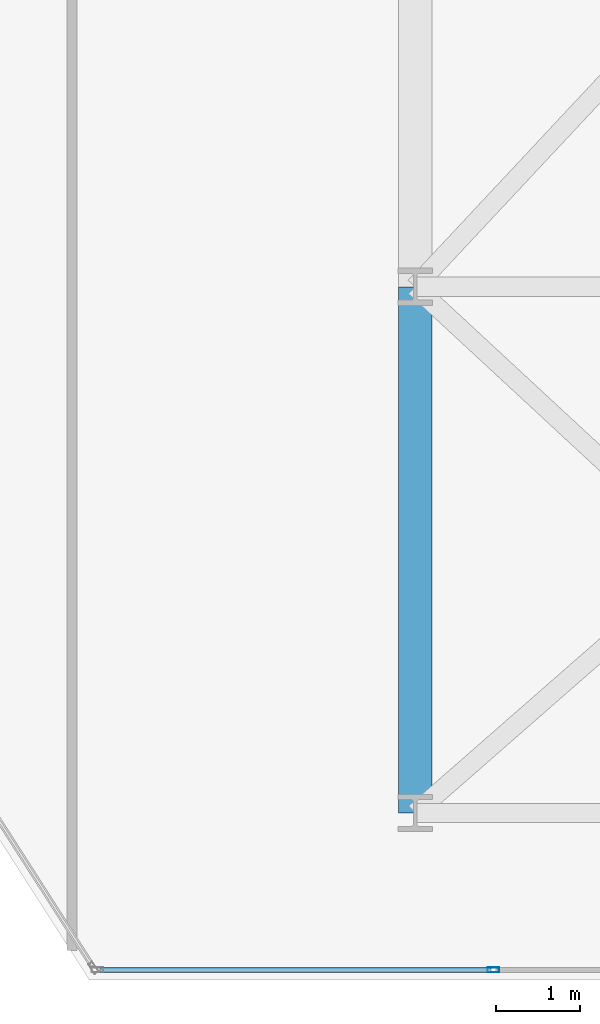
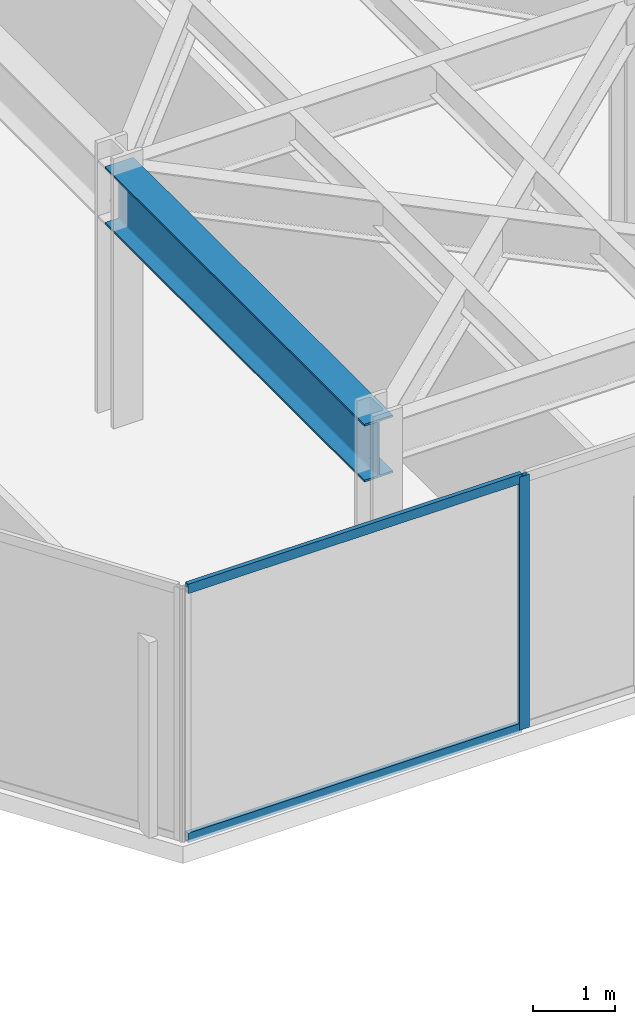
# One storey, part 16 of 26: 3 members, 1 beam, 1 element without a shape of its own.
"""IFC4 building model written with IfcOpenShell, lengths in metres."""

from ifc_helpers import new_model, si_unit, direction, frame, origin, origin_2d, place, context, subcontext, project, spatial, hollow_rectangle, i_section, extrude, material, layer, layer_set, material_profile, profile_set, type_object, element, aggregate, save


model = new_model("IFC4")

# Units and contexts
model_context = context("Model", 3, precision=1e-05, world=origin(), true_north=direction((0.0, 1.0)))
body_context = subcontext(model_context, "Body", "Model", "MODEL_VIEW")
ifc_project = project(units=[si_unit("LENGTHUNIT", "METRE"), si_unit("AREAUNIT", "SQUARE_METRE"), si_unit("VOLUMEUNIT", "CUBIC_METRE"), si_unit("PLANEANGLEUNIT", "RADIAN"), si_unit("MASSUNIT", "GRAM", prefix="KILO")], contexts=[model_context])

# Site, building, storey
site_placement = place(None, origin())
site = spatial("IfcSite", under=ifc_project, at=site_placement, CompositionType="ELEMENT")
building_placement = place(site_placement, origin())
building = spatial("IfcBuilding", under=site, at=building_placement, Name="Kravanh Interchange Tower", CompositionType="ELEMENT")
storey_placement = place(building_placement, frame((0.0, 0.0, 140.0)))
storey = spatial("IfcBuildingStorey", under=building, at=storey_placement, Name="L33", CompositionType="ELEMENT", Elevation=140.0)

# Curtain wall, members
ifc_material_1 = material(Name="Anodised Bronze Aluminium", Category="aluminium")
ifc_layer = layer(ifc_material_1, 0.179931640625)
ifc_layer_set = layer_set([ifc_layer], Name="Unitised Curtain Wall System CW-Z2 Mid Office")
curtain_wall_type = type_object("IfcCurtainWallType", Name="Unitised Curtain Wall System CW-Z2 Mid Office", PredefinedType="NOTDEFINED", material=ifc_layer_set)
curtain_wall_placement = place(storey_placement, origin())
curtain_wall = element("IfcCurtainWall", 1, at=curtain_wall_placement, inside=storey, type_object=curtain_wall_type, Name="L33 Unitised Curtain Wall CW-L33-03", PredefinedType="NOTDEFINED")
ifc_material_2 = material(Name="Anodised Bronze Aluminium", Category="aluminium")
ifc_material_profile_1 = material_profile(ifc_material_2, hollow_rectangle(XDim=0.06005859375, YDim=0.139892578125, WallThickness=0.00390625, at=origin_2d()), Name="ALU60X140X4")
ifc_profile_set_1 = profile_set([ifc_material_profile_1], Name="Anodised Bronze Aluminium")
member_type_1 = type_object("IfcMemberType", Name="Curtain Wall Mullion ALU60X140X4 Bronze", PredefinedType="MULLION", material=ifc_profile_set_1)
member_1_placement = place(storey_placement, frame((56.93798828125, 6.320068359375, 0.0), z_axis=(0.0, 0.0, 1.0), x_axis=(0.0, -1.0, 0.0)))
member_1 = element("IfcMember", 2, at=member_1_placement, type_object=member_type_1, Name="CW-Z2 mullion 2", PredefinedType="MULLION", context=body_context, shape_type="SweptSolid", body=[
    extrude(hollow_rectangle(XDim=0.06005859375, YDim=0.139892578125, WallThickness=0.00390625, at=origin_2d()), origin(), (0.0, 0.0, 1.0), 3.75),
])
ifc_material_3 = material(Name="Anodised Bronze Aluminium", Category="aluminium")
ifc_material_profile_2 = material_profile(ifc_material_3, hollow_rectangle(XDim=0.06005859375, YDim=0.139892578125, WallThickness=0.00390625, at=origin_2d()), Name="ALU60X140X4")
ifc_profile_set_2 = profile_set([ifc_material_profile_2], Name="Anodised Bronze Aluminium")
member_type_2 = type_object("IfcMemberType", Name="Curtain Wall Transom ALU60X140X4 Bronze", PredefinedType="USERDEFINED", material=ifc_profile_set_2)
member_2_placement = place(storey_placement, frame((56.907958984375, 6.320068359375, 0.030029296875), z_axis=(-1.0, 0.0, 0.0), x_axis=(0.0, -1.0, 0.0)))
member_2 = element("IfcMember", 3, at=member_2_placement, type_object=member_type_2, Name="CW-Z2 transom 2.1", ObjectType="TRANSOM", PredefinedType="USERDEFINED", context=body_context, shape_type="SweptSolid", body=[
    extrude(hollow_rectangle(XDim=0.06005859375, YDim=0.139892578125, WallThickness=0.00390625, at=origin_2d()), origin(), (0.0, 0.0, 1.0), 4.682373046875),
])
member_3_placement = place(storey_placement, frame((56.907958984375, 6.320068359375, 3.719970703125), z_axis=(-1.0, 0.0, 0.0), x_axis=(0.0, -1.0, 0.0)))
member_3 = element("IfcMember", 4, at=member_3_placement, type_object=member_type_2, Name="CW-Z2 transom 2.2", ObjectType="TRANSOM", PredefinedType="USERDEFINED", context=body_context, shape_type="SweptSolid", body=[
    extrude(hollow_rectangle(XDim=0.06005859375, YDim=0.139892578125, WallThickness=0.00390625, at=origin_2d()), origin(), (0.0, 0.0, 1.0), 4.682373046875),
])
aggregate(curtain_wall, [member_1, member_2, member_3])

# Beam
ifc_material_4 = material(Name="Structural Steel S355", Category="steel")
ifc_material_profile_3 = material_profile(ifc_material_4, i_section(OverallWidth=0.39990234375, OverallDepth=0.85595703125, WebThickness=0.018310546875, FlangeThickness=0.029296875, FilletRadius=0.02490234375, at=origin_2d()), Name="W33X201")
ifc_profile_set_3 = profile_set([ifc_material_profile_3], Name="Structural Steel S355")
beam_type = type_object("IfcBeamType", Name="Floor Beam W33X201 Structural Steel S355", PredefinedType="BEAM", material=ifc_profile_set_3)
beam_placement = place(storey_placement, frame((56.0, 8.199951171875, 3.322021484375), z_axis=(0.0, 1.0, 0.0), x_axis=(-1.0, 0.0, 0.0)))
element("IfcBeam", 5, at=beam_placement, inside=storey, type_object=beam_type, Name="L33 Primary Floor Girder 95", PredefinedType="BEAM", context=body_context, shape_type="SweptSolid", body=[
    extrude(i_section(OverallWidth=0.39990234375, OverallDepth=0.85595703125, WebThickness=0.018310546875, FlangeThickness=0.029296875, FilletRadius=0.02490234375, at=origin_2d()), origin(), (0.0, 0.0, 1.0), 6.300048828125),
])

save(model, "model.ifc")
